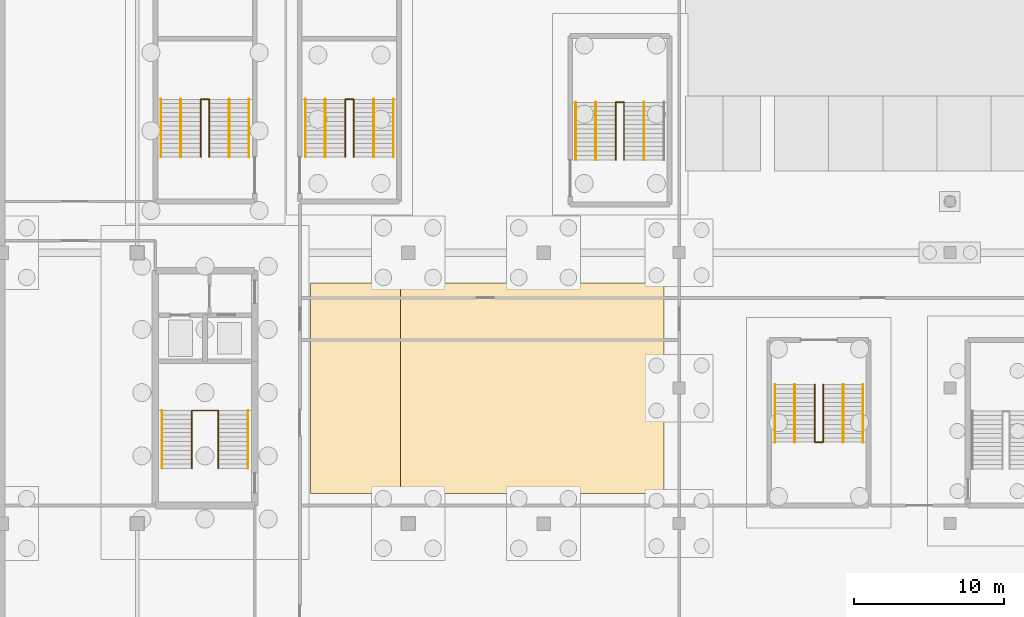
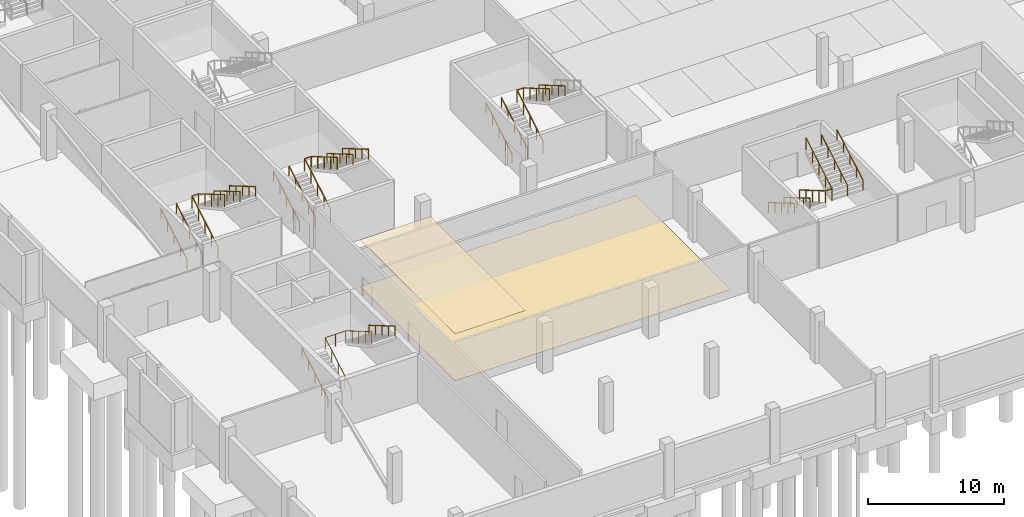
# One storey, part 39 of 46: 22 railings, 2 coverings.
"""IFC4 building model written with IfcOpenShell, lengths in metres."""

import ifcopenshell
import ifcopenshell.guid

model = None  # the IFC model being written
_history = None  # IfcOwnerHistory: only IFC2X3 demands one
_inside = {}  # id of a spatial element -> (the spatial element, [elements in it])
_under = {}  # id of a project, library or spatial element -> (it, [spatial elements below it])
_declared = {}  # id of a project -> (the project, [libraries it declares])
_typed = {}  # id of a type object -> (the type object, [elements of that type])
_made_of = {}  # id of a material, layer set ... -> (it, [elements and type objects made of it])


def new_model(schema):
    """Start an empty IFC model of exactly this schema.

    Asked for "IFC4X3", IfcOpenShell would pick the latest addendum, in which some entities
    have other attributes; the version numbers below select the first issue.
    IFC2X3 requires an IfcOwnerHistory on every rooted entity: one is made here for all.
    """
    global model, _history
    if schema == "IFC4X3":
        model = ifcopenshell.file(schema_version=(4, 3, 0, 0))
    else:
        model = ifcopenshell.file(schema=schema)
    _inside.clear()
    _under.clear()
    _declared.clear()
    _typed.clear()
    _made_of.clear()
    _history = None
    if model.schema == "IFC2X3":
        org = make("IfcOrganization", Name="unknown")
        user = make(
            "IfcPersonAndOrganization",
            ThePerson=make("IfcPerson", FamilyName="unknown"),
            TheOrganization=org,
        )
        app = make(
            "IfcApplication",
            ApplicationDeveloper=org,
            Version="unknown",
            ApplicationFullName="unknown",
            ApplicationIdentifier="unknown",
        )
        _history = make(
            "IfcOwnerHistory",
            OwningUser=user,
            OwningApplication=app,
            ChangeAction="ADDED",
            CreationDate=0,
        )
    return model


def make(cls, **values):
    """One entity of the class cls with the attributes given. An attribute that is None is left unset."""
    return model.create_entity(
        cls, **{name: value for name, value in values.items() if value is not None}
    )


def rooted(cls, **values):
    """An entity with a GlobalId (a new one), such as an element, a storey or a relation."""
    return make(cls, GlobalId=ifcopenshell.guid.new(), OwnerHistory=_history, **values)


def si_unit(unit_type, name, prefix=None):
    """IfcSIUnit, for example si_unit("LENGTHUNIT", "METRE", prefix="MILLI")."""
    return make("IfcSIUnit", UnitType=unit_type, Prefix=prefix, Name=name)


def assignment(units):
    """IfcUnitAssignment: the units of a project."""
    return None if units is None else make("IfcUnitAssignment", Units=units)


def point(xyz):
    """IfcCartesianPoint."""
    return None if xyz is None else make("IfcCartesianPoint", Coordinates=xyz)


def direction(xyz):
    """IfcDirection."""
    return None if xyz is None else make("IfcDirection", DirectionRatios=xyz)


def frame(location, z_axis=None, x_axis=None):
    """IfcAxis2Placement3D, a coordinate frame: its origin and axes. An axis left out is left unset."""
    return make(
        "IfcAxis2Placement3D",
        Location=point(location),
        Axis=direction(z_axis),
        RefDirection=direction(x_axis),
    )


def frame_2d(location, x_axis=None):
    """IfcAxis2Placement2D, a coordinate frame in the plane: its origin and x axis."""
    return make(
        "IfcAxis2Placement2D", Location=point(location), RefDirection=direction(x_axis)
    )


def origin():
    """The frame at (0, 0, 0) with its axes left unset."""
    return frame((0.0, 0.0, 0.0))


def origin_2d():
    """The frame at (0, 0) in the plane with its x axis left unset."""
    return frame_2d((0.0, 0.0))


def place(relative_to, where):
    """IfcLocalPlacement: puts the frame where relative to a parent placement (None: the world)."""
    return make(
        "IfcLocalPlacement", PlacementRelTo=relative_to, RelativePlacement=where
    )


def context(
    kind, dimensions, precision=None, world=None, true_north=None, identifier=None
):
    """IfcGeometricRepresentationContext, for example the 3D "Model" context."""
    return make(
        "IfcGeometricRepresentationContext",
        ContextIdentifier=identifier,
        ContextType=kind,
        CoordinateSpaceDimension=dimensions,
        Precision=precision,
        WorldCoordinateSystem=world,
        TrueNorth=true_north,
    )


def subcontext(parent, identifier, kind, view, scale=None):
    """IfcGeometricRepresentationSubContext, for example "Body" below "Model"."""
    return make(
        "IfcGeometricRepresentationSubContext",
        ContextIdentifier=identifier,
        ContextType=kind,
        ParentContext=parent,
        TargetScale=scale,
        TargetView=view,
    )


def project(units=None, contexts=None):
    """IfcProject with its units and contexts."""
    return rooted(
        "IfcProject",
        Name="project",
        RepresentationContexts=contexts,
        UnitsInContext=assignment(units),
    )


def spatial(cls, under=None, at=None, **own):
    """A site, building, storey or space (cls), placed at a placement, below another one or the project."""
    s = rooted(cls, ObjectPlacement=at, **own)
    if under is not None:
        _under.setdefault(under.id(), (under, []))[1].append(s)
    return s


def polyline(points):
    """IfcPolyline through the points."""
    return make("IfcPolyline", Points=[point(p) for p in points])


def profile(cls, at=None, kind="AREA", **sizes):
    """A parametric profile (cls). Its sizes go by their IFC names, for example OverallWidth=200.0."""
    return make(cls, ProfileType=kind, Position=at, **sizes)


def circle(**sizes):
    """IfcCircleProfileDef."""
    return profile("IfcCircleProfileDef", **sizes)


def outline(outer, holes=None, kind="AREA"):
    """IfcArbitraryClosedProfileDef: a profile drawn as a closed curve; with holes, ...WithVoids."""
    if holes is None:
        return make("IfcArbitraryClosedProfileDef", ProfileType=kind, OuterCurve=outer)
    return make(
        "IfcArbitraryProfileDefWithVoids",
        ProfileType=kind,
        OuterCurve=outer,
        InnerCurves=holes,
    )


def extrude(swept, where, along, depth):
    """IfcExtrudedAreaSolid: the profile swept, set in the frame where, extruded along a direction by depth."""
    return make(
        "IfcExtrudedAreaSolid",
        SweptArea=swept,
        Position=where,
        ExtrudedDirection=direction(along),
        Depth=depth,
    )


def shape(context_of_items, identifier, shape_type, items):
    """IfcShapeRepresentation: the items that make up one representation, for example the "Body"."""
    return make(
        "IfcShapeRepresentation",
        ContextOfItems=context_of_items,
        RepresentationIdentifier=identifier,
        RepresentationType=shape_type,
        Items=items,
    )


def material(Name=None, Category=None):
    """IfcMaterial."""
    return make("IfcMaterial", Name=Name, Category=Category)


def layer(
    of_material, thickness, ventilated=None, Name=None, Category=None, Priority=None
):
    """IfcMaterialLayer: one layer of a wall or slab, of a material (None: an air gap)."""
    return make(
        "IfcMaterialLayer",
        Material=of_material,
        LayerThickness=thickness,
        IsVentilated=ventilated,
        Name=Name,
        Category=Category,
        Priority=Priority,
    )


def layer_set(layers, Name=None):
    """IfcMaterialLayerSet."""
    return make("IfcMaterialLayerSet", MaterialLayers=layers, LayerSetName=Name)


def made_of(thing, what):
    """Note that an element or type object is made of a material, layer set ...; save() writes the relation."""
    if what is not None:
        _made_of.setdefault(what.id(), (what, []))[1].append(thing)
    return thing


def type_object(cls, material=None, **own):
    """A type object (cls), such as IfcWallType, which elements share."""
    return made_of(rooted(cls, **own), material)


def element(
    cls,
    number,
    at=None,
    inside=None,
    cuts=None,
    type_object=None,
    material=None,
    context=None,
    identifier="Body",
    shape_type=None,
    held_by="IfcProductDefinitionShape",
    body=None,
    shapes=None,
    **own,
):
    """One element of the class cls, such as IfcWall. Its Tag is "e" and its number.

    at: its placement. inside: the storey or other place that contains it. cuts: it is an
    opening in that element (IfcRelVoidsElement). A single representation is given by context,
    identifier, shape_type and body (its items); several are given by shapes. held_by: the class
    of the entity that holds the representations. save() writes the other relations.
    """
    e = rooted(cls, Tag="e%d" % number, ObjectPlacement=at, **own)
    if body is not None:
        shapes = [shape(context, identifier, shape_type, body)]
    if shapes is not None:
        e.Representation = make(held_by, Representations=shapes)
    if inside is not None:
        _inside.setdefault(inside.id(), (inside, []))[1].append(e)
    if cuts is not None:
        rooted(
            "IfcRelVoidsElement", RelatingBuildingElement=cuts, RelatedOpeningElement=e
        )
    if type_object is not None:
        _typed.setdefault(type_object.id(), (type_object, []))[1].append(e)
    return made_of(e, material)


def aggregate(whole, parts):
    """IfcRelAggregates: a whole, such as a stair, and the parts it consists of."""
    return rooted("IfcRelAggregates", RelatingObject=whole, RelatedObjects=parts)


def save(model, path):
    """Write the relations noted so far, then the file.

    IfcRelAggregates (storeys below a building ...), IfcRelContainedInSpatialStructure (elements
    in a storey), IfcRelDefinesByType, IfcRelAssociatesMaterial and IfcRelDeclares: one each for
    every whole, place, type object, material and project.
    """
    for whole, parts in _under.values():
        aggregate(whole, parts)
    for where, things in _inside.values():
        rooted(
            "IfcRelContainedInSpatialStructure",
            RelatedElements=things,
            RelatingStructure=where,
        )
    for kind, things in _typed.values():
        rooted("IfcRelDefinesByType", RelatedObjects=things, RelatingType=kind)
    for what, things in _made_of.values():
        rooted("IfcRelAssociatesMaterial", RelatedObjects=things, RelatingMaterial=what)
    for by, libraries in _declared.values():
        rooted("IfcRelDeclares", RelatingContext=by, RelatedDefinitions=libraries)
    model.write(path)


model = new_model("IFC4")

# Units and contexts
model_context = context("Model", 3, precision=1e-05, world=origin(), true_north=direction((0.0, 1.0)))
body_context = subcontext(model_context, "Body", "Model", "MODEL_VIEW")
ifc_project = project(units=[si_unit("LENGTHUNIT", "METRE"), si_unit("AREAUNIT", "SQUARE_METRE"), si_unit("VOLUMEUNIT", "CUBIC_METRE"), si_unit("PLANEANGLEUNIT", "RADIAN"), si_unit("MASSUNIT", "GRAM", prefix="KILO")], contexts=[model_context])

# Site, building, storey
site_placement = place(None, origin())
site = spatial("IfcSite", under=ifc_project, at=site_placement, CompositionType="ELEMENT")
building_placement = place(site_placement, origin())
building = spatial("IfcBuilding", under=site, at=building_placement, Name="Kisiwana Market Hall", CompositionType="ELEMENT")
storey_placement = place(building_placement, frame((0.0, 0.0, -4.5)))
storey = spatial("IfcBuildingStorey", under=building, at=storey_placement, Name="B1", CompositionType="ELEMENT", Elevation=-4.5)

# Coverings
ifc_material_1 = material(Name="Mineral-fibre acoustic ceiling board")
ifc_layer_1 = layer(ifc_material_1, 0.02490234375)
ifc_layer_set_1 = layer_set([ifc_layer_1], Name="COV-CEIL-AC")
covering_type_1 = type_object("IfcCoveringType", Name="COV-CEIL-AC", PredefinedType="CEILING", material=ifc_layer_set_1)
covering_1_placement = place(storey_placement, frame((0.0, 0.0, 4.215087890625)))
element("IfcCovering", 1, at=covering_1_placement, inside=storey, type_object=covering_type_1, Name="Acoustic ceiling grid B1-001", PredefinedType="CEILING", context=body_context, shape_type="SweptSolid", body=[
    extrude(outline(polyline([(20.5, 20.0), (26.5, 20.0), (26.5, 34.0), (20.5, 34.0), (20.5, 20.0)])), origin(), (0.0, 0.0, 1.0), 0.02490234375),
])
ifc_material_2 = material(Name="Polished washable terrazzo tile")
ifc_layer_2 = layer(ifc_material_2, 0.02001953125)
ifc_layer_set_2 = layer_set([ifc_layer_2], Name="COV-FLOOR-EPOXY")
covering_type_2 = type_object("IfcCoveringType", Name="COV-FLOOR-EPOXY", PredefinedType="FLOORING", material=ifc_layer_set_2)
covering_2_placement = place(storey_placement, origin())
element("IfcCovering", 2, at=covering_2_placement, inside=storey, type_object=covering_type_2, Name="Washable terrazzo floor finish B1-003", PredefinedType="FLOORING", context=body_context, shape_type="SweptSolid", body=[
    extrude(outline(polyline([(20.5, 20.0), (44.0, 20.0), (44.0, 34.0), (20.5, 34.0), (20.5, 20.0)])), origin(), (0.0, 0.0, 1.0), 0.02001953125),
])

# Railings
ifc_material_3 = material(Name="Steel S275", Category="steel")
railing_type_1 = type_object("IfcRailingType", Name="RL-GUARD-1100", PredefinedType="GUARDRAIL", material=ifc_material_3)
railing_1_placement = place(storey_placement, frame((12.625, 21.674560546875, 0.0)))
element("IfcRailing", 3, at=railing_1_placement, inside=storey, type_object=railing_type_1, Name="Stair ST-W2-B1 inner-well guardrail (RL-013)", PredefinedType="GUARDRAIL", context=body_context, shape_type="SweptSolid", body=[
    extrude(circle(Radius=0.02392578125, at=origin_2d()), frame((0.0, 0.0, 1.076171875), z_axis=(0.0, 0.86250956776, 0.506040754805), x_axis=(-1.0, 0.0, 0.0)), (0.0, 0.0, 1.0), 4.4462890625),
    extrude(circle(Radius=0.02392578125, at=origin_2d()), frame((0.0, 3.8349609375, 3.326171875), z_axis=(1.0, 0.0, 0.0), x_axis=(0.0, 1.0, 0.0)), (0.0, 0.0, 1.0), 1.75),
    extrude(circle(Radius=0.02392578125, at=origin_2d()), frame((1.75, 3.8349609375, 3.326171875), z_axis=(0.0, -0.86250956776, 0.506040754805), x_axis=(1.0, 0.0, 0.0)), (0.0, 0.0, 1.0), 4.4462890625),
    extrude(circle(Radius=0.02099609375, at=origin_2d()), origin(), (0.0, 0.0, 1.0), 1.052001953125),
    extrude(circle(Radius=0.02099609375, at=origin_2d()), frame((0.0, 0.958740234375, 0.5625)), (0.0, 0.0, 1.0), 1.052001953125),
    extrude(circle(Radius=0.02099609375, at=origin_2d()), frame((0.0, 1.91748046875, 1.125)), (0.0, 0.0, 1.0), 1.052001953125),
    extrude(circle(Radius=0.02099609375, at=origin_2d()), frame((0.0, 2.876220703125, 1.6875)), (0.0, 0.0, 1.0), 1.052001953125),
    extrude(circle(Radius=0.02099609375, at=origin_2d()), frame((0.0, 3.8349609375, 2.25)), (0.0, 0.0, 1.0), 1.052001953125),
    extrude(circle(Radius=0.02099609375, at=origin_2d()), frame((0.875, 3.8349609375, 2.25)), (0.0, 0.0, 1.0), 1.052001953125),
    extrude(circle(Radius=0.02099609375, at=origin_2d()), frame((1.75, 3.8349609375, 2.25)), (0.0, 0.0, 1.0), 1.052001953125),
    extrude(circle(Radius=0.02099609375, at=origin_2d()), frame((1.75, 2.876220703125, 2.8125)), (0.0, 0.0, 1.0), 1.052001953125),
    extrude(circle(Radius=0.02099609375, at=origin_2d()), frame((1.75, 1.91748046875, 3.375)), (0.0, 0.0, 1.0), 1.052001953125),
    extrude(circle(Radius=0.02099609375, at=origin_2d()), frame((1.75, 0.958740234375, 3.9375)), (0.0, 0.0, 1.0), 1.052001953125),
    extrude(circle(Radius=0.02099609375, at=origin_2d()), frame((1.75, 0.0, 4.5)), (0.0, 0.0, 1.0), 1.052001953125),
])
railing_2_placement = place(storey_placement, frame((13.219970703125, 42.360107421875, 0.0)))
element("IfcRailing", 4, at=railing_2_placement, inside=storey, type_object=railing_type_1, Name="Stair ST-W3-B1 inner-well guardrail (RL-037)", PredefinedType="GUARDRAIL", context=body_context, shape_type="SweptSolid", body=[
    extrude(circle(Radius=0.02392578125, at=origin_2d()), frame((0.0, 0.0, 1.076171875), z_axis=(0.0, 0.86250956776, 0.506040754805), x_axis=(-1.0, 0.0, 0.0)), (0.0, 0.0, 1.0), 4.4462890625),
    extrude(circle(Radius=0.02392578125, at=origin_2d()), frame((0.0, 3.8349609375, 3.326171875), z_axis=(1.0, 0.0, 0.0), x_axis=(0.0, 1.0, 0.0)), (0.0, 0.0, 1.0), 0.56005859375),
    extrude(circle(Radius=0.02392578125, at=origin_2d()), frame((0.56005859375, 3.8349609375, 3.326171875), z_axis=(0.0, -0.86250956776, 0.506040754805), x_axis=(1.0, 0.0, 0.0)), (0.0, 0.0, 1.0), 4.4462890625),
    extrude(circle(Radius=0.02099609375, at=origin_2d()), origin(), (0.0, 0.0, 1.0), 1.052001953125),
    extrude(circle(Radius=0.02099609375, at=origin_2d()), frame((0.0, 0.958740234375, 0.5625)), (0.0, 0.0, 1.0), 1.052001953125),
    extrude(circle(Radius=0.02099609375, at=origin_2d()), frame((0.0, 1.91748046875, 1.125)), (0.0, 0.0, 1.0), 1.052001953125),
    extrude(circle(Radius=0.02099609375, at=origin_2d()), frame((0.0, 2.876220703125, 1.6875)), (0.0, 0.0, 1.0), 1.052001953125),
    extrude(circle(Radius=0.02099609375, at=origin_2d()), frame((0.0, 3.8349609375, 2.25)), (0.0, 0.0, 1.0), 1.052001953125),
    extrude(circle(Radius=0.02099609375, at=origin_2d()), frame((0.56005859375, 3.8349609375, 2.25)), (0.0, 0.0, 1.0), 1.052001953125),
    extrude(circle(Radius=0.02099609375, at=origin_2d()), frame((0.56005859375, 2.876220703125, 2.8125)), (0.0, 0.0, 1.0), 1.052001953125),
    extrude(circle(Radius=0.02099609375, at=origin_2d()), frame((0.56005859375, 1.91748046875, 3.375)), (0.0, 0.0, 1.0), 1.052001953125),
    extrude(circle(Radius=0.02099609375, at=origin_2d()), frame((0.56005859375, 0.958740234375, 3.9375)), (0.0, 0.0, 1.0), 1.052001953125),
    extrude(circle(Radius=0.02099609375, at=origin_2d()), frame((0.56005859375, 0.0, 4.5)), (0.0, 0.0, 1.0), 1.052001953125),
])
railing_3_placement = place(storey_placement, frame((22.820068359375, 42.360107421875, 0.0)))
element("IfcRailing", 5, at=railing_3_placement, inside=storey, type_object=railing_type_1, Name="Stair ST-W7-B1 inner-well guardrail (RL-057)", PredefinedType="GUARDRAIL", context=body_context, shape_type="SweptSolid", body=[
    extrude(circle(Radius=0.02392578125, at=origin_2d()), frame((0.0, 0.0, 1.076171875), z_axis=(0.0, 0.86250956776, 0.506040754805), x_axis=(-1.0, 0.0, 0.0)), (0.0, 0.0, 1.0), 4.4462890625),
    extrude(circle(Radius=0.02392578125, at=origin_2d()), frame((0.0, 3.8349609375, 3.326171875), z_axis=(1.0, 0.0, 0.0), x_axis=(0.0, 1.0, 0.0)), (0.0, 0.0, 1.0), 0.559814453125),
    extrude(circle(Radius=0.02392578125, at=origin_2d()), frame((0.559814453125, 3.8349609375, 3.326171875), z_axis=(0.0, -0.86250956776, 0.506040754805), x_axis=(1.0, 0.0, 0.0)), (0.0, 0.0, 1.0), 4.4462890625),
    extrude(circle(Radius=0.02099609375, at=origin_2d()), origin(), (0.0, 0.0, 1.0), 1.052001953125),
    extrude(circle(Radius=0.02099609375, at=origin_2d()), frame((0.0, 0.958740234375, 0.5625)), (0.0, 0.0, 1.0), 1.052001953125),
    extrude(circle(Radius=0.02099609375, at=origin_2d()), frame((0.0, 1.91748046875, 1.125)), (0.0, 0.0, 1.0), 1.052001953125),
    extrude(circle(Radius=0.02099609375, at=origin_2d()), frame((0.0, 2.876220703125, 1.6875)), (0.0, 0.0, 1.0), 1.052001953125),
    extrude(circle(Radius=0.02099609375, at=origin_2d()), frame((0.0, 3.8349609375, 2.25)), (0.0, 0.0, 1.0), 1.052001953125),
    extrude(circle(Radius=0.02099609375, at=origin_2d()), frame((0.559814453125, 3.8349609375, 2.25)), (0.0, 0.0, 1.0), 1.052001953125),
    extrude(circle(Radius=0.02099609375, at=origin_2d()), frame((0.559814453125, 2.876220703125, 2.8125)), (0.0, 0.0, 1.0), 1.052001953125),
    extrude(circle(Radius=0.02099609375, at=origin_2d()), frame((0.559814453125, 1.91748046875, 3.375)), (0.0, 0.0, 1.0), 1.052001953125),
    extrude(circle(Radius=0.02099609375, at=origin_2d()), frame((0.559814453125, 0.958740234375, 3.9375)), (0.0, 0.0, 1.0), 1.052001953125),
    extrude(circle(Radius=0.02099609375, at=origin_2d()), frame((0.559814453125, 0.0, 4.5)), (0.0, 0.0, 1.0), 1.052001953125),
])
railing_4_placement = place(storey_placement, frame((40.7900390625, 42.159912109375, 0.0)))
element("IfcRailing", 6, at=railing_4_placement, inside=storey, type_object=railing_type_1, Name="Stair ST-W9-B1 inner-well guardrail (RL-077)", PredefinedType="GUARDRAIL", context=body_context, shape_type="SweptSolid", body=[
    extrude(circle(Radius=0.02392578125, at=origin_2d()), frame((0.0, 0.0, 1.076171875), z_axis=(0.0, 0.86252362769, 0.506016789916), x_axis=(-1.0, 0.0, 0.0)), (0.0, 0.0, 1.0), 4.446533203125),
    extrude(circle(Radius=0.02392578125, at=origin_2d()), frame((0.0, 3.835205078125, 3.326171875), z_axis=(1.0, 0.0, 0.0), x_axis=(0.0, 1.0, 0.0)), (0.0, 0.0, 1.0), 0.56005859375),
    extrude(circle(Radius=0.02392578125, at=origin_2d()), frame((0.56005859375, 3.835205078125, 3.326171875), z_axis=(0.0, -0.86252362769, 0.506016789916), x_axis=(1.0, 0.0, 0.0)), (0.0, 0.0, 1.0), 4.446533203125),
    extrude(circle(Radius=0.02099609375, at=origin_2d()), origin(), (0.0, 0.0, 1.0), 1.052001953125),
    extrude(circle(Radius=0.02099609375, at=origin_2d()), frame((0.0, 0.958740234375, 0.5625)), (0.0, 0.0, 1.0), 1.052001953125),
    extrude(circle(Radius=0.02099609375, at=origin_2d()), frame((0.0, 1.91748046875, 1.125)), (0.0, 0.0, 1.0), 1.052001953125),
    extrude(circle(Radius=0.02099609375, at=origin_2d()), frame((0.0, 2.87646484375, 1.6875)), (0.0, 0.0, 1.0), 1.052001953125),
    extrude(circle(Radius=0.02099609375, at=origin_2d()), frame((0.0, 3.835205078125, 2.25)), (0.0, 0.0, 1.0), 1.052001953125),
    extrude(circle(Radius=0.02099609375, at=origin_2d()), frame((0.56005859375, 3.835205078125, 2.25)), (0.0, 0.0, 1.0), 1.052001953125),
    extrude(circle(Radius=0.02099609375, at=origin_2d()), frame((0.56005859375, 2.87646484375, 2.8125)), (0.0, 0.0, 1.0), 1.052001953125),
    extrude(circle(Radius=0.02099609375, at=origin_2d()), frame((0.56005859375, 1.91748046875, 3.375)), (0.0, 0.0, 1.0), 1.052001953125),
    extrude(circle(Radius=0.02099609375, at=origin_2d()), frame((0.56005859375, 0.958740234375, 3.9375)), (0.0, 0.0, 1.0), 1.052001953125),
    extrude(circle(Radius=0.02099609375, at=origin_2d()), frame((0.56005859375, 0.0, 4.5)), (0.0, 0.0, 1.0), 1.052001953125),
])
railing_5_placement = place(storey_placement, frame((54.02001953125, 27.239990234375, 0.0)))
element("IfcRailing", 7, at=railing_5_placement, inside=storey, type_object=railing_type_1, Name="Stair ST-S3-B1 inner-well guardrail (RL-107)", PredefinedType="GUARDRAIL", context=body_context, shape_type="SweptSolid", body=[
    extrude(circle(Radius=0.02392578125, at=origin_2d()), frame((0.0, 0.0, 1.076171875), z_axis=(0.0, -0.86250956776, 0.506040754805), x_axis=(1.0, 0.0, 0.0)), (0.0, 0.0, 1.0), 4.4462890625),
    extrude(circle(Radius=0.02392578125, at=origin_2d()), frame((0.0, -3.8349609375, 3.326171875), z_axis=(1.0, 0.0, 0.0), x_axis=(0.0, 1.0, 0.0)), (0.0, 0.0, 1.0), 0.56005859375),
    extrude(circle(Radius=0.02392578125, at=origin_2d()), frame((0.56005859375, -3.8349609375, 3.326171875), z_axis=(0.0, 0.86250956776, 0.506040754805), x_axis=(-1.0, 0.0, 0.0)), (0.0, 0.0, 1.0), 4.4462890625),
    extrude(circle(Radius=0.02099609375, at=origin_2d()), origin(), (0.0, 0.0, 1.0), 1.052001953125),
    extrude(circle(Radius=0.02099609375, at=origin_2d()), frame((0.0, -0.958740234375, 0.5625)), (0.0, 0.0, 1.0), 1.052001953125),
    extrude(circle(Radius=0.02099609375, at=origin_2d()), frame((0.0, -1.91748046875, 1.125)), (0.0, 0.0, 1.0), 1.052001953125),
    extrude(circle(Radius=0.02099609375, at=origin_2d()), frame((0.0, -2.876220703125, 1.6875)), (0.0, 0.0, 1.0), 1.052001953125),
    extrude(circle(Radius=0.02099609375, at=origin_2d()), frame((0.0, -3.8349609375, 2.25)), (0.0, 0.0, 1.0), 1.052001953125),
    extrude(circle(Radius=0.02099609375, at=origin_2d()), frame((0.56005859375, -3.8349609375, 2.25)), (0.0, 0.0, 1.0), 1.052001953125),
    extrude(circle(Radius=0.02099609375, at=origin_2d()), frame((0.56005859375, -2.876220703125, 2.8125)), (0.0, 0.0, 1.0), 1.052001953125),
    extrude(circle(Radius=0.02099609375, at=origin_2d()), frame((0.56005859375, -1.91748046875, 3.375)), (0.0, 0.0, 1.0), 1.052001953125),
    extrude(circle(Radius=0.02099609375, at=origin_2d()), frame((0.56005859375, -0.958740234375, 3.9375)), (0.0, 0.0, 1.0), 1.052001953125),
    extrude(circle(Radius=0.02099609375, at=origin_2d()), frame((0.56005859375, 0.0, 4.5)), (0.0, 0.0, 1.0), 1.052001953125),
])
ifc_material_4 = material(Name="Steel S275", Category="steel")
railing_type_2 = type_object("IfcRailingType", Name="RL-HAND-900", PredefinedType="HANDRAIL", material=ifc_material_4)
railing_6_placement = place(storey_placement, frame((10.635009765625, 21.674560546875, 0.0)))
element("IfcRailing", 8, at=railing_6_placement, inside=storey, type_object=railing_type_2, Name="Stair ST-W2-B1 flight 1 handrail (RL-014)", PredefinedType="HANDRAIL", context=body_context, shape_type="SweptSolid", body=[
    extrude(circle(Radius=0.02392578125, at=origin_2d()), frame((0.0, 0.0, 0.8759765625), z_axis=(0.0, 0.86250956776, 0.506040754805), x_axis=(-1.0, 0.0, 0.0)), (0.0, 0.0, 1.0), 4.4462890625),
    extrude(circle(Radius=0.02099609375, at=origin_2d()), origin(), (0.0, 0.0, 1.0), 0.851806640625),
    extrude(circle(Radius=0.02099609375, at=origin_2d()), frame((0.0, 0.958740234375, 0.5625)), (0.0, 0.0, 1.0), 0.851806640625),
    extrude(circle(Radius=0.02099609375, at=origin_2d()), frame((0.0, 1.91748046875, 1.125)), (0.0, 0.0, 1.0), 0.851806640625),
    extrude(circle(Radius=0.02099609375, at=origin_2d()), frame((0.0, 2.876220703125, 1.6875)), (0.0, 0.0, 1.0), 0.851806640625),
    extrude(circle(Radius=0.02099609375, at=origin_2d()), frame((0.0, 3.8349609375, 2.25)), (0.0, 0.0, 1.0), 0.851806640625),
])
railing_7_placement = place(storey_placement, frame((16.364990234375, 25.509521484375, 2.25)))
element("IfcRailing", 9, at=railing_7_placement, inside=storey, type_object=railing_type_2, Name="Stair ST-W2-B1 flight 2 handrail (RL-015)", PredefinedType="HANDRAIL", context=body_context, shape_type="SweptSolid", body=[
    extrude(circle(Radius=0.02392578125, at=origin_2d()), frame((0.0, 0.0, 0.8759765625), z_axis=(0.0, -0.86250956776, 0.506040754805), x_axis=(1.0, 0.0, 0.0)), (0.0, 0.0, 1.0), 4.4462890625),
    extrude(circle(Radius=0.02099609375, at=origin_2d()), origin(), (0.0, 0.0, 1.0), 0.851806640625),
    extrude(circle(Radius=0.02099609375, at=origin_2d()), frame((0.0, -0.958740234375, 0.5625)), (0.0, 0.0, 1.0), 0.851806640625),
    extrude(circle(Radius=0.02099609375, at=origin_2d()), frame((0.0, -1.91748046875, 1.125)), (0.0, 0.0, 1.0), 0.851806640625),
    extrude(circle(Radius=0.02099609375, at=origin_2d()), frame((0.0, -2.876220703125, 1.6875)), (0.0, 0.0, 1.0), 0.851806640625),
    extrude(circle(Radius=0.02099609375, at=origin_2d()), frame((0.0, -3.8349609375, 2.25)), (0.0, 0.0, 1.0), 0.851806640625),
])
railing_8_placement = place(storey_placement, frame((10.570068359375, 42.360107421875, 0.0)))
element("IfcRailing", 10, at=railing_8_placement, inside=storey, type_object=railing_type_2, Name="Stair ST-W3-B1 flight 1 handrail (RL-038)", PredefinedType="HANDRAIL", context=body_context, shape_type="SweptSolid", body=[
    extrude(circle(Radius=0.02392578125, at=origin_2d()), frame((0.0, 0.0, 0.8759765625), z_axis=(0.0, 0.86250956776, 0.506040754805), x_axis=(-1.0, 0.0, 0.0)), (0.0, 0.0, 1.0), 4.4462890625),
    extrude(circle(Radius=0.02099609375, at=origin_2d()), origin(), (0.0, 0.0, 1.0), 0.851806640625),
    extrude(circle(Radius=0.02099609375, at=origin_2d()), frame((0.0, 0.958740234375, 0.5625)), (0.0, 0.0, 1.0), 0.851806640625),
    extrude(circle(Radius=0.02099609375, at=origin_2d()), frame((0.0, 1.91748046875, 1.125)), (0.0, 0.0, 1.0), 0.851806640625),
    extrude(circle(Radius=0.02099609375, at=origin_2d()), frame((0.0, 2.876220703125, 1.6875)), (0.0, 0.0, 1.0), 0.851806640625),
    extrude(circle(Radius=0.02099609375, at=origin_2d()), frame((0.0, 3.8349609375, 2.25)), (0.0, 0.0, 1.0), 0.851806640625),
])
railing_9_placement = place(storey_placement, frame((16.429931640625, 46.195068359375, 2.25)))
element("IfcRailing", 11, at=railing_9_placement, inside=storey, type_object=railing_type_2, Name="Stair ST-W3-B1 flight 2 handrail (RL-039)", PredefinedType="HANDRAIL", context=body_context, shape_type="SweptSolid", body=[
    extrude(circle(Radius=0.02392578125, at=origin_2d()), frame((0.0, 0.0, 0.8759765625), z_axis=(0.0, -0.86250956776, 0.506040754805), x_axis=(1.0, 0.0, 0.0)), (0.0, 0.0, 1.0), 4.4462890625),
    extrude(circle(Radius=0.02099609375, at=origin_2d()), origin(), (0.0, 0.0, 1.0), 0.851806640625),
    extrude(circle(Radius=0.02099609375, at=origin_2d()), frame((0.0, -0.958740234375, 0.5625)), (0.0, 0.0, 1.0), 0.851806640625),
    extrude(circle(Radius=0.02099609375, at=origin_2d()), frame((0.0, -1.91748046875, 1.125)), (0.0, 0.0, 1.0), 0.851806640625),
    extrude(circle(Radius=0.02099609375, at=origin_2d()), frame((0.0, -2.876220703125, 1.6875)), (0.0, 0.0, 1.0), 0.851806640625),
    extrude(circle(Radius=0.02099609375, at=origin_2d()), frame((0.0, -3.8349609375, 2.25)), (0.0, 0.0, 1.0), 0.851806640625),
])
railing_10_placement = place(storey_placement, frame((11.889892578125, 42.360107421875, 0.0)))
element("IfcRailing", 12, at=railing_10_placement, inside=storey, type_object=railing_type_2, Name="Stair ST-W3-B1 flight 1 intermediate handrail (RL-040)", PredefinedType="HANDRAIL", context=body_context, shape_type="SweptSolid", body=[
    extrude(circle(Radius=0.02392578125, at=origin_2d()), frame((0.0, 0.0, 0.8759765625), z_axis=(0.0, 0.86250956776, 0.506040754805), x_axis=(-1.0, 0.0, 0.0)), (0.0, 0.0, 1.0), 4.4462890625),
    extrude(circle(Radius=0.02099609375, at=origin_2d()), origin(), (0.0, 0.0, 1.0), 0.851806640625),
    extrude(circle(Radius=0.02099609375, at=origin_2d()), frame((0.0, 0.958740234375, 0.5625)), (0.0, 0.0, 1.0), 0.851806640625),
    extrude(circle(Radius=0.02099609375, at=origin_2d()), frame((0.0, 1.91748046875, 1.125)), (0.0, 0.0, 1.0), 0.851806640625),
    extrude(circle(Radius=0.02099609375, at=origin_2d()), frame((0.0, 2.876220703125, 1.6875)), (0.0, 0.0, 1.0), 0.851806640625),
    extrude(circle(Radius=0.02099609375, at=origin_2d()), frame((0.0, 3.8349609375, 2.25)), (0.0, 0.0, 1.0), 0.851806640625),
])
railing_11_placement = place(storey_placement, frame((15.110107421875, 46.195068359375, 2.25)))
element("IfcRailing", 13, at=railing_11_placement, inside=storey, type_object=railing_type_2, Name="Stair ST-W3-B1 flight 2 intermediate handrail (RL-041)", PredefinedType="HANDRAIL", context=body_context, shape_type="SweptSolid", body=[
    extrude(circle(Radius=0.02392578125, at=origin_2d()), frame((0.0, 0.0, 0.8759765625), z_axis=(0.0, -0.86250956776, 0.506040754805), x_axis=(1.0, 0.0, 0.0)), (0.0, 0.0, 1.0), 4.4462890625),
    extrude(circle(Radius=0.02099609375, at=origin_2d()), origin(), (0.0, 0.0, 1.0), 0.851806640625),
    extrude(circle(Radius=0.02099609375, at=origin_2d()), frame((0.0, -0.958740234375, 0.5625)), (0.0, 0.0, 1.0), 0.851806640625),
    extrude(circle(Radius=0.02099609375, at=origin_2d()), frame((0.0, -1.91748046875, 1.125)), (0.0, 0.0, 1.0), 0.851806640625),
    extrude(circle(Radius=0.02099609375, at=origin_2d()), frame((0.0, -2.876220703125, 1.6875)), (0.0, 0.0, 1.0), 0.851806640625),
    extrude(circle(Radius=0.02099609375, at=origin_2d()), frame((0.0, -3.8349609375, 2.25)), (0.0, 0.0, 1.0), 0.851806640625),
])
railing_12_placement = place(storey_placement, frame((20.169921875, 42.360107421875, 0.0)))
element("IfcRailing", 14, at=railing_12_placement, inside=storey, type_object=railing_type_2, Name="Stair ST-W7-B1 flight 1 handrail (RL-058)", PredefinedType="HANDRAIL", context=body_context, shape_type="SweptSolid", body=[
    extrude(circle(Radius=0.02392578125, at=origin_2d()), frame((0.0, 0.0, 0.8759765625), z_axis=(0.0, 0.86250956776, 0.506040754805), x_axis=(-1.0, 0.0, 0.0)), (0.0, 0.0, 1.0), 4.4462890625),
    extrude(circle(Radius=0.02099609375, at=origin_2d()), origin(), (0.0, 0.0, 1.0), 0.851806640625),
    extrude(circle(Radius=0.02099609375, at=origin_2d()), frame((0.0, 0.958740234375, 0.5625)), (0.0, 0.0, 1.0), 0.851806640625),
    extrude(circle(Radius=0.02099609375, at=origin_2d()), frame((0.0, 1.91748046875, 1.125)), (0.0, 0.0, 1.0), 0.851806640625),
    extrude(circle(Radius=0.02099609375, at=origin_2d()), frame((0.0, 2.876220703125, 1.6875)), (0.0, 0.0, 1.0), 0.851806640625),
    extrude(circle(Radius=0.02099609375, at=origin_2d()), frame((0.0, 3.8349609375, 2.25)), (0.0, 0.0, 1.0), 0.851806640625),
])
railing_13_placement = place(storey_placement, frame((26.030029296875, 46.195068359375, 2.25)))
element("IfcRailing", 15, at=railing_13_placement, inside=storey, type_object=railing_type_2, Name="Stair ST-W7-B1 flight 2 handrail (RL-059)", PredefinedType="HANDRAIL", context=body_context, shape_type="SweptSolid", body=[
    extrude(circle(Radius=0.02392578125, at=origin_2d()), frame((0.0, 0.0, 0.8759765625), z_axis=(0.0, -0.86250956776, 0.506040754805), x_axis=(1.0, 0.0, 0.0)), (0.0, 0.0, 1.0), 4.4462890625),
    extrude(circle(Radius=0.02099609375, at=origin_2d()), origin(), (0.0, 0.0, 1.0), 0.851806640625),
    extrude(circle(Radius=0.02099609375, at=origin_2d()), frame((0.0, -0.958740234375, 0.5625)), (0.0, 0.0, 1.0), 0.851806640625),
    extrude(circle(Radius=0.02099609375, at=origin_2d()), frame((0.0, -1.91748046875, 1.125)), (0.0, 0.0, 1.0), 0.851806640625),
    extrude(circle(Radius=0.02099609375, at=origin_2d()), frame((0.0, -2.876220703125, 1.6875)), (0.0, 0.0, 1.0), 0.851806640625),
    extrude(circle(Radius=0.02099609375, at=origin_2d()), frame((0.0, -3.8349609375, 2.25)), (0.0, 0.0, 1.0), 0.851806640625),
])
railing_14_placement = place(storey_placement, frame((21.489990234375, 42.360107421875, 0.0)))
element("IfcRailing", 16, at=railing_14_placement, inside=storey, type_object=railing_type_2, Name="Stair ST-W7-B1 flight 1 intermediate handrail (RL-060)", PredefinedType="HANDRAIL", context=body_context, shape_type="SweptSolid", body=[
    extrude(circle(Radius=0.02392578125, at=origin_2d()), frame((0.0, 0.0, 0.8759765625), z_axis=(0.0, 0.86250956776, 0.506040754805), x_axis=(-1.0, 0.0, 0.0)), (0.0, 0.0, 1.0), 4.4462890625),
    extrude(circle(Radius=0.02099609375, at=origin_2d()), origin(), (0.0, 0.0, 1.0), 0.851806640625),
    extrude(circle(Radius=0.02099609375, at=origin_2d()), frame((0.0, 0.958740234375, 0.5625)), (0.0, 0.0, 1.0), 0.851806640625),
    extrude(circle(Radius=0.02099609375, at=origin_2d()), frame((0.0, 1.91748046875, 1.125)), (0.0, 0.0, 1.0), 0.851806640625),
    extrude(circle(Radius=0.02099609375, at=origin_2d()), frame((0.0, 2.876220703125, 1.6875)), (0.0, 0.0, 1.0), 0.851806640625),
    extrude(circle(Radius=0.02099609375, at=origin_2d()), frame((0.0, 3.8349609375, 2.25)), (0.0, 0.0, 1.0), 0.851806640625),
])
railing_15_placement = place(storey_placement, frame((24.7099609375, 46.195068359375, 2.25)))
element("IfcRailing", 17, at=railing_15_placement, inside=storey, type_object=railing_type_2, Name="Stair ST-W7-B1 flight 2 intermediate handrail (RL-061)", PredefinedType="HANDRAIL", context=body_context, shape_type="SweptSolid", body=[
    extrude(circle(Radius=0.02392578125, at=origin_2d()), frame((0.0, 0.0, 0.8759765625), z_axis=(0.0, -0.86250956776, 0.506040754805), x_axis=(1.0, 0.0, 0.0)), (0.0, 0.0, 1.0), 4.4462890625),
    extrude(circle(Radius=0.02099609375, at=origin_2d()), origin(), (0.0, 0.0, 1.0), 0.851806640625),
    extrude(circle(Radius=0.02099609375, at=origin_2d()), frame((0.0, -0.958740234375, 0.5625)), (0.0, 0.0, 1.0), 0.851806640625),
    extrude(circle(Radius=0.02099609375, at=origin_2d()), frame((0.0, -1.91748046875, 1.125)), (0.0, 0.0, 1.0), 0.851806640625),
    extrude(circle(Radius=0.02099609375, at=origin_2d()), frame((0.0, -2.876220703125, 1.6875)), (0.0, 0.0, 1.0), 0.851806640625),
    extrude(circle(Radius=0.02099609375, at=origin_2d()), frame((0.0, -3.8349609375, 2.25)), (0.0, 0.0, 1.0), 0.851806640625),
])
for number, where, name in (
    (18, (38.139892578125, 42.159912109375, 0.0), "Stair ST-W9-B1 flight 1 handrail (RL-078)"),
    (19, (39.4599609375, 42.159912109375, 0.0), "Stair ST-W9-B1 flight 1 intermediate handrail (RL-080)"),
):
    element("IfcRailing", number, at=place(storey_placement, frame(where)), inside=storey, type_object=railing_type_2, Name=name, PredefinedType="HANDRAIL", context=body_context, shape_type="SweptSolid", body=[
        extrude(circle(Radius=0.02392578125, at=origin_2d()), frame((0.0, 0.0, 0.8759765625), z_axis=(0.0, 0.86252362769, 0.506016789916), x_axis=(-1.0, 0.0, 0.0)), (0.0, 0.0, 1.0), 4.446533203125),
        extrude(circle(Radius=0.02099609375, at=origin_2d()), origin(), (0.0, 0.0, 1.0), 0.851806640625),
        extrude(circle(Radius=0.02099609375, at=origin_2d()), frame((0.0, 0.958740234375, 0.5625)), (0.0, 0.0, 1.0), 0.851806640625),
        extrude(circle(Radius=0.02099609375, at=origin_2d()), frame((0.0, 1.91748046875, 1.125)), (0.0, 0.0, 1.0), 0.851806640625),
        extrude(circle(Radius=0.02099609375, at=origin_2d()), frame((0.0, 2.87646484375, 1.6875)), (0.0, 0.0, 1.0), 0.851806640625),
        extrude(circle(Radius=0.02099609375, at=origin_2d()), frame((0.0, 3.835205078125, 2.25)), (0.0, 0.0, 1.0), 0.851806640625),
    ])
railing_16_placement = place(storey_placement, frame((42.679931640625, 45.9951171875, 2.25)))
element("IfcRailing", 20, at=railing_16_placement, inside=storey, type_object=railing_type_2, Name="Stair ST-W9-B1 flight 2 intermediate handrail (RL-081)", PredefinedType="HANDRAIL", context=body_context, shape_type="SweptSolid", body=[
    extrude(circle(Radius=0.02392578125, at=origin_2d()), frame((0.0, 0.0, 0.8759765625), z_axis=(0.0, -0.86252362769, 0.506016789916), x_axis=(1.0, 0.0, 0.0)), (0.0, 0.0, 1.0), 4.446533203125),
    extrude(circle(Radius=0.02099609375, at=origin_2d()), origin(), (0.0, 0.0, 1.0), 0.851806640625),
    extrude(circle(Radius=0.02099609375, at=origin_2d()), frame((0.0, -0.958740234375, 0.5625)), (0.0, 0.0, 1.0), 0.851806640625),
    extrude(circle(Radius=0.02099609375, at=origin_2d()), frame((0.0, -1.91748046875, 1.125)), (0.0, 0.0, 1.0), 0.851806640625),
    extrude(circle(Radius=0.02099609375, at=origin_2d()), frame((0.0, -2.87646484375, 1.6875)), (0.0, 0.0, 1.0), 0.851806640625),
    extrude(circle(Radius=0.02099609375, at=origin_2d()), frame((0.0, -3.835205078125, 2.25)), (0.0, 0.0, 1.0), 0.851806640625),
])
railing_17_placement = place(storey_placement, frame((51.3701171875, 27.239990234375, 0.0)))
element("IfcRailing", 21, at=railing_17_placement, inside=storey, type_object=railing_type_2, Name="Stair ST-S3-B1 flight 1 handrail (RL-108)", PredefinedType="HANDRAIL", context=body_context, shape_type="SweptSolid", body=[
    extrude(circle(Radius=0.02392578125, at=origin_2d()), frame((0.0, 0.0, 0.8759765625), z_axis=(0.0, -0.86250956776, 0.506040754805), x_axis=(1.0, 0.0, 0.0)), (0.0, 0.0, 1.0), 4.4462890625),
    extrude(circle(Radius=0.02099609375, at=origin_2d()), origin(), (0.0, 0.0, 1.0), 0.851806640625),
    extrude(circle(Radius=0.02099609375, at=origin_2d()), frame((0.0, -0.958740234375, 0.5625)), (0.0, 0.0, 1.0), 0.851806640625),
    extrude(circle(Radius=0.02099609375, at=origin_2d()), frame((0.0, -1.91748046875, 1.125)), (0.0, 0.0, 1.0), 0.851806640625),
    extrude(circle(Radius=0.02099609375, at=origin_2d()), frame((0.0, -2.876220703125, 1.6875)), (0.0, 0.0, 1.0), 0.851806640625),
    extrude(circle(Radius=0.02099609375, at=origin_2d()), frame((0.0, -3.8349609375, 2.25)), (0.0, 0.0, 1.0), 0.851806640625),
])
railing_18_placement = place(storey_placement, frame((57.22998046875, 23.405029296875, 2.25)))
element("IfcRailing", 22, at=railing_18_placement, inside=storey, type_object=railing_type_2, Name="Stair ST-S3-B1 flight 2 handrail (RL-109)", PredefinedType="HANDRAIL", context=body_context, shape_type="SweptSolid", body=[
    extrude(circle(Radius=0.02392578125, at=origin_2d()), frame((0.0, 0.0, 0.8759765625), z_axis=(0.0, 0.86250956776, 0.506040754805), x_axis=(-1.0, 0.0, 0.0)), (0.0, 0.0, 1.0), 4.4462890625),
    extrude(circle(Radius=0.02099609375, at=origin_2d()), origin(), (0.0, 0.0, 1.0), 0.851806640625),
    extrude(circle(Radius=0.02099609375, at=origin_2d()), frame((0.0, 0.958740234375, 0.5625)), (0.0, 0.0, 1.0), 0.851806640625),
    extrude(circle(Radius=0.02099609375, at=origin_2d()), frame((0.0, 1.91748046875, 1.125)), (0.0, 0.0, 1.0), 0.851806640625),
    extrude(circle(Radius=0.02099609375, at=origin_2d()), frame((0.0, 2.876220703125, 1.6875)), (0.0, 0.0, 1.0), 0.851806640625),
    extrude(circle(Radius=0.02099609375, at=origin_2d()), frame((0.0, 3.8349609375, 2.25)), (0.0, 0.0, 1.0), 0.851806640625),
])
railing_19_placement = place(storey_placement, frame((52.68994140625, 27.239990234375, 0.0)))
element("IfcRailing", 23, at=railing_19_placement, inside=storey, type_object=railing_type_2, Name="Stair ST-S3-B1 flight 1 intermediate handrail (RL-110)", PredefinedType="HANDRAIL", context=body_context, shape_type="SweptSolid", body=[
    extrude(circle(Radius=0.02392578125, at=origin_2d()), frame((0.0, 0.0, 0.8759765625), z_axis=(0.0, -0.86250956776, 0.506040754805), x_axis=(1.0, 0.0, 0.0)), (0.0, 0.0, 1.0), 4.4462890625),
    extrude(circle(Radius=0.02099609375, at=origin_2d()), origin(), (0.0, 0.0, 1.0), 0.851806640625),
    extrude(circle(Radius=0.02099609375, at=origin_2d()), frame((0.0, -0.958740234375, 0.5625)), (0.0, 0.0, 1.0), 0.851806640625),
    extrude(circle(Radius=0.02099609375, at=origin_2d()), frame((0.0, -1.91748046875, 1.125)), (0.0, 0.0, 1.0), 0.851806640625),
    extrude(circle(Radius=0.02099609375, at=origin_2d()), frame((0.0, -2.876220703125, 1.6875)), (0.0, 0.0, 1.0), 0.851806640625),
    extrude(circle(Radius=0.02099609375, at=origin_2d()), frame((0.0, -3.8349609375, 2.25)), (0.0, 0.0, 1.0), 0.851806640625),
])
railing_20_placement = place(storey_placement, frame((55.909912109375, 23.405029296875, 2.25)))
element("IfcRailing", 24, at=railing_20_placement, inside=storey, type_object=railing_type_2, Name="Stair ST-S3-B1 flight 2 intermediate handrail (RL-111)", PredefinedType="HANDRAIL", context=body_context, shape_type="SweptSolid", body=[
    extrude(circle(Radius=0.02392578125, at=origin_2d()), frame((0.0, 0.0, 0.8759765625), z_axis=(0.0, 0.86250956776, 0.506040754805), x_axis=(-1.0, 0.0, 0.0)), (0.0, 0.0, 1.0), 4.4462890625),
    extrude(circle(Radius=0.02099609375, at=origin_2d()), origin(), (0.0, 0.0, 1.0), 0.851806640625),
    extrude(circle(Radius=0.02099609375, at=origin_2d()), frame((0.0, 0.958740234375, 0.5625)), (0.0, 0.0, 1.0), 0.851806640625),
    extrude(circle(Radius=0.02099609375, at=origin_2d()), frame((0.0, 1.91748046875, 1.125)), (0.0, 0.0, 1.0), 0.851806640625),
    extrude(circle(Radius=0.02099609375, at=origin_2d()), frame((0.0, 2.876220703125, 1.6875)), (0.0, 0.0, 1.0), 0.851806640625),
    extrude(circle(Radius=0.02099609375, at=origin_2d()), frame((0.0, 3.8349609375, 2.25)), (0.0, 0.0, 1.0), 0.851806640625),
])

save(model, "model.ifc")
